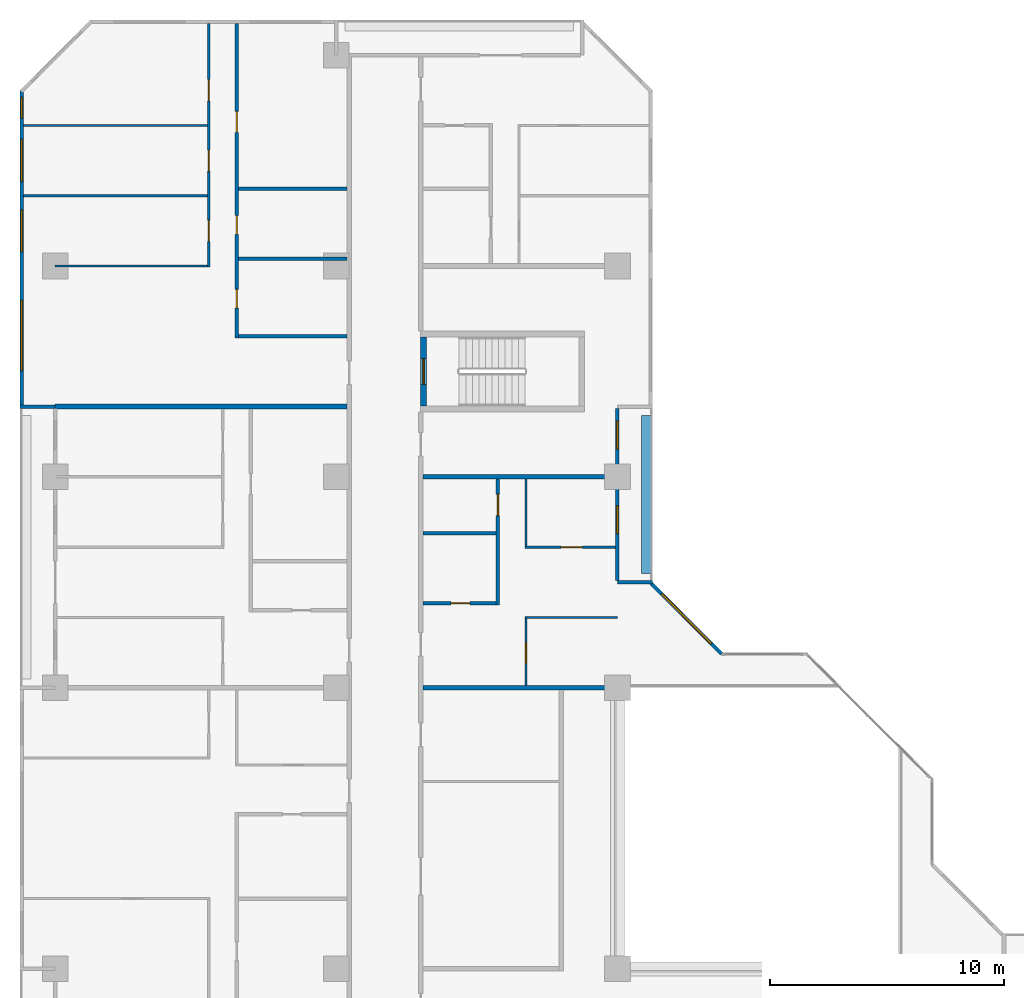
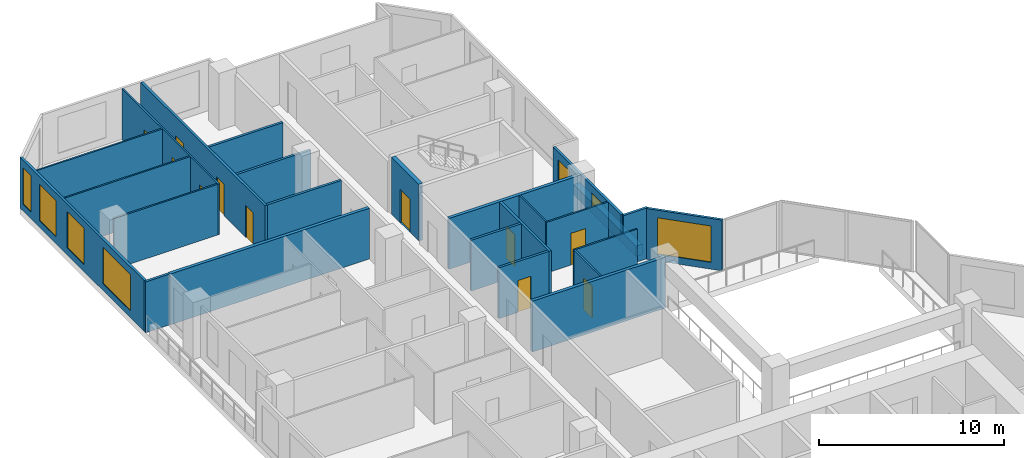
# One storey, part 10 of 16: 25 walls, 11 doors, 7 windows, 18 openings.
"""IFC4 building model written with IfcOpenShell, lengths in metres."""

from ifc_helpers import new_model, si_unit, direction, frame, frame_2d, origin, place, context, subcontext, project, spatial, rectangle, extrude, material, layer, layer_set, type_object, element, fill, save


model = new_model("IFC4")

# Units and contexts
model_context = context("Model", 3, precision=1e-05, world=origin(), true_north=direction((0.0, 1.0)))
body_context = subcontext(model_context, "Body", "Model", "MODEL_VIEW")
ifc_project = project(units=[si_unit("LENGTHUNIT", "METRE"), si_unit("AREAUNIT", "SQUARE_METRE"), si_unit("VOLUMEUNIT", "CUBIC_METRE"), si_unit("PLANEANGLEUNIT", "RADIAN"), si_unit("MASSUNIT", "GRAM", prefix="KILO")], contexts=[model_context])

# Site, building, storey
site_placement = place(None, origin())
site = spatial("IfcSite", under=ifc_project, at=site_placement, CompositionType="ELEMENT")
building_placement = place(site_placement, origin())
building = spatial("IfcBuilding", under=site, at=building_placement, Name="Chenar Terraces", CompositionType="ELEMENT")
storey_placement = place(building_placement, frame((0.0, 0.0, 75.14990234375)))
storey = spatial("IfcBuildingStorey", under=building, at=storey_placement, Name="L16", CompositionType="ELEMENT", Elevation=75.14990234375)

# Wall, opening, door
ifc_material_1 = material(Name="Concrete C70/85", Category="concrete")
ifc_layer_1 = layer(ifc_material_1, 0.25)
ifc_layer_set_1 = layer_set([ifc_layer_1], Name="Concrete C70/85")
wall_type_1 = type_object("IfcWallType", Name="Core wall 250 Concrete C70/85", PredefinedType="SHEAR", material=ifc_layer_set_1)
wall_1_placement = place(storey_placement, frame((15.72509765625, 48.02490234375, 0.0), z_axis=(0.0, 0.0, 1.0), x_axis=(0.0, 1.0, 0.0)))
wall_1 = element("IfcWall", 1, at=wall_1_placement, inside=storey, type_object=wall_type_1, Name="Core wall ST4_W L16", PredefinedType="SHEAR", context=body_context, shape_type="SweptSolid", body=[
    extrude(rectangle(XDim=2.9501953125, YDim=0.25, at=frame_2d((1.47509765625, 0.0))), origin(), (0.0, 0.0, 1.0), 3.75),
])
opening_1_placement = place(wall_1_placement, frame((0.925048828125, 0.0, 0.0)))
opening_1 = element("IfcOpeningElement", 2, at=opening_1_placement, cuts=wall_1, Name="Opening DL16-C9", PredefinedType="OPENING", context=body_context, shape_type="SweptSolid", body=[
    extrude(rectangle(XDim=1.10009765625, YDim=2.199951171875, at=frame_2d((0.550048828125, 1.10009765625))), frame((0.0, 0.135009765625, 0.0), z_axis=(0.0, -1.0, 0.0), x_axis=(1.0, 0.0, 0.0)), (0.0, 0.0, 1.0), 0.27001953125),
])
ifc_material_2 = material(Name="Steel-framed fire-resisting door leaf", Category="steel")
door_type_1 = type_object("IfcDoorType", Name="Stair fire door FD60 1100 x 2200", OperationType="SINGLE_SWING_LEFT", PredefinedType="DOOR", material=ifc_material_2)
door_1_placement = place(opening_1_placement, frame((1.10009765625, 0.0, 0.0), z_axis=(0.0, 0.0, 1.0), x_axis=(-1.0, 0.0, 0.0)))
door_1 = element("IfcDoor", 3, at=door_1_placement, inside=storey, type_object=door_type_1, Name="Stair door DL16-C9", OperationType="SINGLE_SWING_RIGHT", OverallHeight=2.199951171875, OverallWidth=1.10009765625, PredefinedType="DOOR", context=body_context, shape_type="SweptSolid", body=[
    extrude(rectangle(XDim=1.10009765625, YDim=2.199951171875, at=frame_2d((0.550048828125, 1.10009765625))), frame((0.0, 0.02490234375, 0.0), z_axis=(0.0, -1.0, 0.0), x_axis=(1.0, 0.0, 0.0)), (0.0, 0.0, 1.0), 0.050048828125),
])
fill(opening_1, door_1)

# Wall, openings, windows
ifc_material_3 = material(Name="Aluminium framed glazing", Category="aluminium")
ifc_layer_2 = layer(ifc_material_3, 0.14990234375)
ifc_layer_set_2 = layer_set([ifc_layer_2], Name="Aluminium framed glazing")
wall_type_2 = type_object("IfcWallType", Name="Glazed flush facade wall 150", PredefinedType="SOLIDWALL", material=ifc_layer_set_2)
wall_2_placement = place(storey_placement, frame((-1.425048828125, 61.5, 0.0), z_axis=(0.0, 0.0, 1.0), x_axis=(0.0, -1.0, 0.0)))
wall_2 = element("IfcWall", 4, at=wall_2_placement, inside=storey, type_object=wall_type_2, Name="Glazed flush facade wall", PredefinedType="SOLIDWALL", context=body_context, shape_type="SweptSolid", body=[
    extrude(rectangle(XDim=13.425048828125, YDim=0.14990234375, at=frame_2d((6.71240234375, 0.0))), origin(), (0.0, 0.0, 1.0), 3.35009765625),
])
opening_2_placement = place(wall_2_placement, frame((0.300048828125, 0.0, 0.449951171875)))
opening_2 = element("IfcOpeningElement", 5, at=opening_2_placement, cuts=wall_2, Name="Opening W90x240", PredefinedType="OPENING", context=body_context, shape_type="SweptSolid", body=[
    extrude(rectangle(XDim=0.89990234375, YDim=2.39990234375, at=frame_2d((0.449951171875, 1.199951171875))), frame((0.0, 0.0849609375, 0.0), z_axis=(0.0, -1.0, 0.0), x_axis=(1.0, 0.0, 0.0)), (0.0, 0.0, 1.0), 0.169921875),
])
opening_3_placement = place(wall_2_placement, frame((2.10009765625, 0.0, 0.449951171875)))
opening_3 = element("IfcOpeningElement", 6, at=opening_3_placement, cuts=wall_2, Name="Opening W180x240", PredefinedType="OPENING", context=body_context, shape_type="SweptSolid", body=[
    extrude(rectangle(XDim=1.800048828125, YDim=2.39990234375, at=frame_2d((0.89990234375, 1.199951171875))), frame((0.0, 0.0849609375, 0.0), z_axis=(0.0, -1.0, 0.0), x_axis=(1.0, 0.0, 0.0)), (0.0, 0.0, 1.0), 0.169921875),
])
opening_4_placement = place(wall_2_placement, frame((5.10009765625, 0.0, 0.449951171875)))
opening_4 = element("IfcOpeningElement", 7, at=opening_4_placement, cuts=wall_2, Name="Opening W180x240", PredefinedType="OPENING", context=body_context, shape_type="SweptSolid", body=[
    extrude(rectangle(XDim=1.800048828125, YDim=2.39990234375, at=frame_2d((0.89990234375, 1.199951171875))), frame((0.0, 0.0849609375, 0.0), z_axis=(0.0, -1.0, 0.0), x_axis=(1.0, 0.0, 0.0)), (0.0, 0.0, 1.0), 0.169921875),
])
opening_5_placement = place(wall_2_placement, frame((8.96240234375, 0.0, 0.449951171875)))
opening_5 = element("IfcOpeningElement", 8, at=opening_5_placement, cuts=wall_2, Name="Opening W300x240", PredefinedType="OPENING", context=body_context, shape_type="SweptSolid", body=[
    extrude(rectangle(XDim=3.0, YDim=2.39990234375, at=frame_2d((1.5, 1.199951171875))), frame((0.0, 0.0849609375, 0.0), z_axis=(0.0, -1.0, 0.0), x_axis=(1.0, 0.0, 0.0)), (0.0, 0.0, 1.0), 0.169921875),
])
ifc_material_4 = material(Name="Low emissivity double glazing, aluminium frame", Category="aluminium")
window_type_1 = type_object("IfcWindowType", Name="Fixed light 1800 x 2400", PartitioningType="SINGLE_PANEL", PredefinedType="WINDOW", material=ifc_material_4)
window_1_placement = place(opening_3_placement, origin())
window_1 = element("IfcWindow", 9, at=window_1_placement, inside=storey, type_object=window_type_1, Name="Window", OverallHeight=2.39990234375, OverallWidth=1.800048828125, PartitioningType="SINGLE_PANEL", PredefinedType="WINDOW", context=body_context, shape_type="SweptSolid", body=[
    extrude(rectangle(XDim=1.800048828125, YDim=2.39990234375, at=frame_2d((0.89990234375, 1.199951171875))), frame((0.0, 0.030029296875, 0.0), z_axis=(0.0, -1.0, 0.0), x_axis=(1.0, 0.0, 0.0)), (0.0, 0.0, 1.0), 0.06005859375),
])
fill(opening_3, window_1)
window_2_placement = place(opening_4_placement, origin())
window_2 = element("IfcWindow", 10, at=window_2_placement, inside=storey, type_object=window_type_1, Name="Window", OverallHeight=2.39990234375, OverallWidth=1.800048828125, PartitioningType="SINGLE_PANEL", PredefinedType="WINDOW", context=body_context, shape_type="SweptSolid", body=[
    extrude(rectangle(XDim=1.800048828125, YDim=2.39990234375, at=frame_2d((0.89990234375, 1.199951171875))), frame((0.0, 0.030029296875, 0.0), z_axis=(0.0, -1.0, 0.0), x_axis=(1.0, 0.0, 0.0)), (0.0, 0.0, 1.0), 0.06005859375),
])
fill(opening_4, window_2)
ifc_material_5 = material(Name="Low emissivity double glazing, aluminium frame", Category="aluminium")
window_type_2 = type_object("IfcWindowType", Name="Fixed light 3000 x 2400", PartitioningType="SINGLE_PANEL", PredefinedType="WINDOW", material=ifc_material_5)
window_3_placement = place(opening_5_placement, origin())
window_3 = element("IfcWindow", 11, at=window_3_placement, inside=storey, type_object=window_type_2, Name="Window", OverallHeight=2.39990234375, OverallWidth=3.0, PartitioningType="SINGLE_PANEL", PredefinedType="WINDOW", context=body_context, shape_type="SweptSolid", body=[
    extrude(rectangle(XDim=3.0, YDim=2.39990234375, at=frame_2d((1.5, 1.199951171875))), frame((0.0, 0.030029296875, 0.0), z_axis=(0.0, -1.0, 0.0), x_axis=(1.0, 0.0, 0.0)), (0.0, 0.0, 1.0), 0.06005859375),
])
fill(opening_5, window_3)
ifc_material_6 = material(Name="Low emissivity double glazing, aluminium frame", Category="aluminium")
window_type_3 = type_object("IfcWindowType", Name="Fixed light 900 x 2400", PartitioningType="SINGLE_PANEL", PredefinedType="WINDOW", material=ifc_material_6)
window_4_placement = place(opening_2_placement, origin())
window_4 = element("IfcWindow", 12, at=window_4_placement, inside=storey, type_object=window_type_3, Name="Window", OverallHeight=2.39990234375, OverallWidth=0.89990234375, PartitioningType="SINGLE_PANEL", PredefinedType="WINDOW", context=body_context, shape_type="SweptSolid", body=[
    extrude(rectangle(XDim=0.89990234375, YDim=2.39990234375, at=frame_2d((0.449951171875, 1.199951171875))), frame((0.0, 0.030029296875, 0.0), z_axis=(0.0, -1.0, 0.0), x_axis=(1.0, 0.0, 0.0)), (0.0, 0.0, 1.0), 0.06005859375),
])
fill(opening_2, window_4)

ifc_material_7 = material(Name="Aluminium framed glazing", Category="aluminium")
ifc_layer_3 = layer(ifc_material_7, 0.14990234375)
ifc_layer_set_3 = layer_set([ifc_layer_3], Name="Aluminium framed glazing")
wall_type_3 = type_object("IfcWallType", Name="Glazed loggia back wall 150", PredefinedType="SOLIDWALL", material=ifc_layer_set_3)
wall_3_placement = place(storey_placement, frame((24.0, 40.574951171875, 0.0), z_axis=(0.0, 0.0, 1.0), x_axis=(0.0, 1.0, 0.0)))
wall_3 = element("IfcWall", 13, at=wall_3_placement, inside=storey, type_object=wall_type_3, Name="Glazed loggia back wall", PredefinedType="SOLIDWALL", context=body_context, shape_type="SweptSolid", body=[
    extrude(rectangle(XDim=7.35009765625, YDim=0.14990234375, at=frame_2d((3.675048828125, 0.0))), origin(), (0.0, 0.0, 1.0), 3.35009765625),
])
opening_6_placement = place(wall_3_placement, frame((2.0, 0.0, 0.449951171875)))
opening_6 = element("IfcOpeningElement", 14, at=opening_6_placement, cuts=wall_3, Name="Opening W120x240", PredefinedType="OPENING", context=body_context, shape_type="SweptSolid", body=[
    extrude(rectangle(XDim=1.199951171875, YDim=2.39990234375, at=frame_2d((0.60009765625, 1.199951171875))), frame((0.0, 0.0849609375, 0.0), z_axis=(0.0, -1.0, 0.0), x_axis=(1.0, 0.0, 0.0)), (0.0, 0.0, 1.0), 0.169921875),
])
opening_7_placement = place(wall_3_placement, frame((5.612548828125, 0.0, 0.449951171875)))
opening_7 = element("IfcOpeningElement", 15, at=opening_7_placement, cuts=wall_3, Name="Opening W120x240", PredefinedType="OPENING", context=body_context, shape_type="SweptSolid", body=[
    extrude(rectangle(XDim=1.199951171875, YDim=2.39990234375, at=frame_2d((0.60009765625, 1.199951171875))), frame((0.0, 0.0849609375, 0.0), z_axis=(0.0, -1.0, 0.0), x_axis=(1.0, 0.0, 0.0)), (0.0, 0.0, 1.0), 0.169921875),
])
ifc_material_8 = material(Name="Low emissivity double glazing, aluminium frame", Category="aluminium")
window_type_4 = type_object("IfcWindowType", Name="Fixed light 1200 x 2400", PartitioningType="SINGLE_PANEL", PredefinedType="WINDOW", material=ifc_material_8)
window_5_placement = place(opening_6_placement, origin())
window_5 = element("IfcWindow", 16, at=window_5_placement, inside=storey, type_object=window_type_4, Name="Window", OverallHeight=2.39990234375, OverallWidth=1.199951171875, PartitioningType="SINGLE_PANEL", PredefinedType="WINDOW", context=body_context, shape_type="SweptSolid", body=[
    extrude(rectangle(XDim=1.199951171875, YDim=2.39990234375, at=frame_2d((0.60009765625, 1.199951171875))), frame((0.0, 0.030029296875, 0.0), z_axis=(0.0, -1.0, 0.0), x_axis=(1.0, 0.0, 0.0)), (0.0, 0.0, 1.0), 0.06005859375),
])
fill(opening_6, window_5)
window_6_placement = place(opening_7_placement, origin())
window_6 = element("IfcWindow", 17, at=window_6_placement, inside=storey, type_object=window_type_4, Name="Window", OverallHeight=2.39990234375, OverallWidth=1.199951171875, PartitioningType="SINGLE_PANEL", PredefinedType="WINDOW", context=body_context, shape_type="SweptSolid", body=[
    extrude(rectangle(XDim=1.199951171875, YDim=2.39990234375, at=frame_2d((0.60009765625, 1.199951171875))), frame((0.0, 0.030029296875, 0.0), z_axis=(0.0, -1.0, 0.0), x_axis=(1.0, 0.0, 0.0)), (0.0, 0.0, 1.0), 0.06005859375),
])
fill(opening_7, window_6)

# Walls
ifc_material_9 = material(Name="Gypsum board on steel studs", Category="steel")
ifc_layer_4 = layer(ifc_material_9, 0.10009765625)
ifc_layer_set_4 = layer_set([ifc_layer_4], Name="Gypsum board on steel studs")
wall_type_4 = type_object("IfcWallType", Name="Gypsum partition 100", PredefinedType="PARTITIONING", material=ifc_layer_set_4)
for number, where, z_axis, x_axis, name in (
    (18, (-1.35107421875, 57.0, 0.0), (0.0, 0.0, 1.0), (1.0, 0.0, 0.0), "Partition L16-001"),
    (19, (-1.35107421875, 60.0, 0.0), (0.0, 0.0, 1.0), (1.0, 0.0, 0.0), "Partition L16-002"),
):
    element("IfcWall", number, at=place(storey_placement, frame(where, z_axis=z_axis, x_axis=x_axis)), inside=storey, type_object=wall_type_4, Name=name, PredefinedType="PARTITIONING", context=body_context, shape_type="SweptSolid", body=[
        extrude(rectangle(XDim=7.85107421875, YDim=0.10009765625, at=frame_2d((3.925537109375, 0.0))), origin(), (0.0, 0.0, 1.0), 3.35009765625),
    ])
wall_4_placement = place(storey_placement, frame((0.0, 54.0, 0.0), z_axis=(0.0, 0.0, 1.0), x_axis=(1.0, 0.0, 0.0)))
element("IfcWall", 20, at=wall_4_placement, inside=storey, type_object=wall_type_4, Name="Partition L16-007", PredefinedType="PARTITIONING", context=body_context, shape_type="SweptSolid", body=[
    extrude(rectangle(XDim=6.5, YDim=0.10009765625, at=frame_2d((3.25, 0.0))), origin(), (0.0, 0.0, 1.0), 3.35009765625),
])

# Wall, openings, doors
wall_5_placement = place(storey_placement, frame((6.550048828125, 53.949951171875, 0.0), z_axis=(0.0, 0.0, 1.0), x_axis=(0.0, 1.0, 0.0)))
wall_5 = element("IfcWall", 21, at=wall_5_placement, inside=storey, type_object=wall_type_4, Name="Partition L16-016", PredefinedType="PARTITIONING", context=body_context, shape_type="SweptSolid", body=[
    extrude(rectangle(XDim=10.400146484375, YDim=0.10009765625, at=frame_2d((5.2001953125, 0.0))), origin(), (0.0, 0.0, 1.0), 3.35009765625),
])
opening_8_placement = place(wall_5_placement, frame((1.10009765625, 0.0, 0.0)))
opening_8 = element("IfcOpeningElement", 22, at=opening_8_placement, cuts=wall_5, Name="Opening DL16-46", PredefinedType="OPENING", context=body_context, shape_type="SweptSolid", body=[
    extrude(rectangle(XDim=0.89990234375, YDim=2.10009765625, at=frame_2d((0.449951171875, 1.050048828125))), frame((0.0, 0.06005859375, 0.0), z_axis=(0.0, -1.0, 0.0), x_axis=(1.0, 0.0, 0.0)), (0.0, 0.0, 1.0), 0.1201171875),
])
opening_9_placement = place(wall_5_placement, frame((4.10009765625, 0.0, 0.0)))
opening_9 = element("IfcOpeningElement", 23, at=opening_9_placement, cuts=wall_5, Name="Opening DL16-47", PredefinedType="OPENING", context=body_context, shape_type="SweptSolid", body=[
    extrude(rectangle(XDim=0.89990234375, YDim=2.10009765625, at=frame_2d((0.449951171875, 1.050048828125))), frame((0.0, 0.06005859375, 0.0), z_axis=(0.0, -1.0, 0.0), x_axis=(1.0, 0.0, 0.0)), (0.0, 0.0, 1.0), 0.1201171875),
])
opening_10_placement = place(wall_5_placement, frame((7.10009765625, 0.0, 0.0)))
opening_10 = element("IfcOpeningElement", 24, at=opening_10_placement, cuts=wall_5, Name="Opening DL16-48", PredefinedType="OPENING", context=body_context, shape_type="SweptSolid", body=[
    extrude(rectangle(XDim=0.89990234375, YDim=2.10009765625, at=frame_2d((0.449951171875, 1.050048828125))), frame((0.0, 0.06005859375, 0.0), z_axis=(0.0, -1.0, 0.0), x_axis=(1.0, 0.0, 0.0)), (0.0, 0.0, 1.0), 0.1201171875),
])
ifc_material_10 = material(Name="Veneered timber door leaf", Category="wood")
door_type_2 = type_object("IfcDoorType", Name="Door 900 x 2100", OperationType="SINGLE_SWING_LEFT", PredefinedType="DOOR", material=ifc_material_10)
door_2_placement = place(opening_8_placement, origin())
door_2 = element("IfcDoor", 25, at=door_2_placement, inside=storey, type_object=door_type_2, Name="Door DL16-46", OperationType="SINGLE_SWING_LEFT", OverallHeight=2.10009765625, OverallWidth=0.89990234375, PredefinedType="DOOR", context=body_context, shape_type="SweptSolid", body=[
    extrude(rectangle(XDim=0.89990234375, YDim=2.10009765625, at=frame_2d((0.449951171875, 1.050048828125))), frame((0.0, 0.02490234375, 0.0), z_axis=(0.0, -1.0, 0.0), x_axis=(1.0, 0.0, 0.0)), (0.0, 0.0, 1.0), 0.050048828125),
])
fill(opening_8, door_2)
door_3_placement = place(opening_9_placement, origin())
door_3 = element("IfcDoor", 26, at=door_3_placement, inside=storey, type_object=door_type_2, Name="Door DL16-47", OperationType="SINGLE_SWING_LEFT", OverallHeight=2.10009765625, OverallWidth=0.89990234375, PredefinedType="DOOR", context=body_context, shape_type="SweptSolid", body=[
    extrude(rectangle(XDim=0.89990234375, YDim=2.10009765625, at=frame_2d((0.449951171875, 1.050048828125))), frame((0.0, 0.02490234375, 0.0), z_axis=(0.0, -1.0, 0.0), x_axis=(1.0, 0.0, 0.0)), (0.0, 0.0, 1.0), 0.050048828125),
])
fill(opening_9, door_3)
door_4_placement = place(opening_10_placement, origin())
door_4 = element("IfcDoor", 27, at=door_4_placement, inside=storey, type_object=door_type_2, Name="Door DL16-48", OperationType="SINGLE_SWING_LEFT", OverallHeight=2.10009765625, OverallWidth=0.89990234375, PredefinedType="DOOR", context=body_context, shape_type="SweptSolid", body=[
    extrude(rectangle(XDim=0.89990234375, YDim=2.10009765625, at=frame_2d((0.449951171875, 1.050048828125))), frame((0.0, 0.02490234375, 0.0), z_axis=(0.0, -1.0, 0.0), x_axis=(1.0, 0.0, 0.0)), (0.0, 0.0, 1.0), 0.050048828125),
])
fill(opening_10, door_4)

# Wall
wall_6_placement = place(storey_placement, frame((20.050048828125, 39.0, 0.0), z_axis=(0.0, 0.0, 1.0), x_axis=(1.0, 0.0, 0.0)))
element("IfcWall", 28, at=wall_6_placement, inside=storey, type_object=wall_type_4, Name="Partition L16-052", PredefinedType="PARTITIONING", context=body_context, shape_type="SweptSolid", body=[
    extrude(rectangle(XDim=3.949951171875, YDim=0.10009765625, at=frame_2d((1.97509765625, 0.0))), origin(), (0.0, 0.0, 1.0), 3.35009765625),
])

# Wall, opening, door
wall_7_placement = place(storey_placement, frame((20.050048828125, 42.0, 0.0), z_axis=(0.0, 0.0, 1.0), x_axis=(1.0, 0.0, 0.0)))
wall_7 = element("IfcWall", 29, at=wall_7_placement, inside=storey, type_object=wall_type_4, Name="Partition L16-053", PredefinedType="PARTITIONING", context=body_context, shape_type="SweptSolid", body=[
    extrude(rectangle(XDim=3.8759765625, YDim=0.10009765625, at=frame_2d((1.93798828125, 0.0))), origin(), (0.0, 0.0, 1.0), 3.35009765625),
])
opening_11_placement = place(wall_7_placement, frame((1.550048828125, 0.0, 0.0)))
opening_11 = element("IfcOpeningElement", 30, at=opening_11_placement, cuts=wall_7, Name="Opening DL16-31", PredefinedType="OPENING", context=body_context, shape_type="SweptSolid", body=[
    extrude(rectangle(XDim=0.89990234375, YDim=2.10009765625, at=frame_2d((0.449951171875, 1.050048828125))), frame((0.0, 0.06005859375, 0.0), z_axis=(0.0, -1.0, 0.0), x_axis=(1.0, 0.0, 0.0)), (0.0, 0.0, 1.0), 0.1201171875),
])
door_5_placement = place(opening_11_placement, origin())
door_5 = element("IfcDoor", 31, at=door_5_placement, inside=storey, type_object=door_type_2, Name="Door DL16-31", OperationType="SINGLE_SWING_RIGHT", OverallHeight=2.10009765625, OverallWidth=0.89990234375, PredefinedType="DOOR", context=body_context, shape_type="SweptSolid", body=[
    extrude(rectangle(XDim=0.89990234375, YDim=2.10009765625, at=frame_2d((0.449951171875, 1.050048828125))), frame((0.0, 0.02490234375, 0.0), z_axis=(0.0, -1.0, 0.0), x_axis=(1.0, 0.0, 0.0)), (0.0, 0.0, 1.0), 0.050048828125),
])
fill(opening_11, door_5)

wall_8_placement = place(storey_placement, frame((20.10009765625, 36.10009765625, 0.0), z_axis=(0.0, 0.0, 1.0), x_axis=(0.0, 1.0, 0.0)))
wall_8 = element("IfcWall", 32, at=wall_8_placement, inside=storey, type_object=wall_type_4, Name="Partition L16-054", PredefinedType="PARTITIONING", context=body_context, shape_type="SweptSolid", body=[
    extrude(rectangle(XDim=2.849853515625, YDim=0.10009765625, at=frame_2d((1.4248046875, 0.0))), origin(), (0.0, 0.0, 1.0), 3.35009765625),
])
opening_12_placement = place(wall_8_placement, frame((0.949951171875, 0.0, 0.0)))
opening_12 = element("IfcOpeningElement", 33, at=opening_12_placement, cuts=wall_8, Name="Opening DL16-30", PredefinedType="OPENING", context=body_context, shape_type="SweptSolid", body=[
    extrude(rectangle(XDim=0.89990234375, YDim=2.10009765625, at=frame_2d((0.449951171875, 1.050048828125))), frame((0.0, 0.06005859375, 0.0), z_axis=(0.0, -1.0, 0.0), x_axis=(1.0, 0.0, 0.0)), (0.0, 0.0, 1.0), 0.1201171875),
])
door_6_placement = place(opening_12_placement, frame((0.89990234375, 0.0, 0.0), z_axis=(0.0, 0.0, 1.0), x_axis=(-1.0, 0.0, 0.0)))
door_6 = element("IfcDoor", 34, at=door_6_placement, inside=storey, type_object=door_type_2, Name="Door DL16-30", OperationType="SINGLE_SWING_LEFT", OverallHeight=2.10009765625, OverallWidth=0.89990234375, PredefinedType="DOOR", context=body_context, shape_type="SweptSolid", body=[
    extrude(rectangle(XDim=0.89990234375, YDim=2.10009765625, at=frame_2d((0.449951171875, 1.050048828125))), frame((0.0, 0.02490234375, 0.0), z_axis=(0.0, -1.0, 0.0), x_axis=(1.0, 0.0, 0.0)), (0.0, 0.0, 1.0), 0.050048828125),
])
fill(opening_12, door_6)

# Walls
wall_9_placement = place(storey_placement, frame((20.10009765625, 42.050048828125, 0.0), z_axis=(0.0, 0.0, 1.0), x_axis=(0.0, 1.0, 0.0)))
element("IfcWall", 35, at=wall_9_placement, inside=storey, type_object=wall_type_4, Name="Partition L16-055", PredefinedType="PARTITIONING", context=body_context, shape_type="SweptSolid", body=[
    extrude(rectangle(XDim=2.849853515625, YDim=0.10009765625, at=frame_2d((1.4248046875, 0.0))), origin(), (0.0, 0.0, 1.0), 3.35009765625),
])
ifc_material_11 = material(Name="Terracotta cladding on insulated backing", Category="masonry")
ifc_layer_5 = layer(ifc_material_11, 0.14990234375)
ifc_layer_set_5 = layer_set([ifc_layer_5], Name="Terracotta cladding on insulated backing")
wall_type_5 = type_object("IfcWallType", Name="Loggia return wall 150", PredefinedType="SOLIDWALL", material=ifc_layer_set_5)
for number, where, z_axis, x_axis, name in (
    (36, (25.5, 40.5, 0.0), (0.0, 0.0, 1.0), (-1.0, 0.0, 0.0), "Loggia return wall"),
    (37, (-1.5, 48.0, 0.0), (0.0, 0.0, 1.0), (1.0, 0.0, 0.0), "Loggia return wall"),
):
    element("IfcWall", number, at=place(storey_placement, frame(where, z_axis=z_axis, x_axis=x_axis)), inside=storey, type_object=wall_type_5, Name=name, PredefinedType="SOLIDWALL", context=body_context, shape_type="SweptSolid", body=[
        extrude(rectangle(XDim=1.5, YDim=0.14990234375, at=frame_2d((0.75, 0.0))), origin(), (0.0, 0.0, 1.0), 3.35009765625),
    ])

# Wall, opening, window
ifc_material_12 = material(Name="Terracotta cladding on insulated backing", Category="masonry")
ifc_layer_6 = layer(ifc_material_12, 0.14990234375)
ifc_layer_set_6 = layer_set([ifc_layer_6], Name="Terracotta cladding on insulated backing")
wall_type_6 = type_object("IfcWallType", Name="Terracotta rainscreen wall 150", PredefinedType="SOLIDWALL", material=ifc_layer_set_6)
wall_10_placement = place(storey_placement, frame((28.447021484375, 37.447021484375, 0.0), z_axis=(0.0, 0.0, 1.0), x_axis=(-0.707106781187, 0.707106781187, 0.0)))
wall_10 = element("IfcWall", 38, at=wall_10_placement, inside=storey, type_object=wall_type_6, Name="Terracotta rainscreen wall", PredefinedType="SOLIDWALL", context=body_context, shape_type="SweptSolid", body=[
    extrude(rectangle(XDim=4.24267578125, YDim=0.14990234375, at=frame_2d((2.121337890625, 0.0))), origin(), (0.0, 0.0, 1.0), 3.35009765625),
])
opening_13_placement = place(wall_10_placement, frame((0.621337890625, 0.0, 0.449951171875)))
opening_13 = element("IfcOpeningElement", 39, at=opening_13_placement, cuts=wall_10, Name="Opening W300x240", PredefinedType="OPENING", context=body_context, shape_type="SweptSolid", body=[
    extrude(rectangle(XDim=3.0, YDim=2.39990234375, at=frame_2d((1.5, 1.199951171875))), frame((0.0, 0.0849609375, 0.0), z_axis=(0.0, -1.0, 0.0), x_axis=(1.0, 0.0, 0.0)), (0.0, 0.0, 1.0), 0.169921875),
])
window_7_placement = place(opening_13_placement, origin())
window_7 = element("IfcWindow", 40, at=window_7_placement, inside=storey, type_object=window_type_2, Name="Window", OverallHeight=2.39990234375, OverallWidth=3.0, PartitioningType="SINGLE_PANEL", PredefinedType="WINDOW", context=body_context, shape_type="SweptSolid", body=[
    extrude(rectangle(XDim=3.0, YDim=2.39990234375, at=frame_2d((1.5, 1.199951171875))), frame((0.0, 0.030029296875, 0.0), z_axis=(0.0, -1.0, 0.0), x_axis=(1.0, 0.0, 0.0)), (0.0, 0.0, 1.0), 0.06005859375),
])
fill(opening_13, window_7)

# Walls
ifc_material_13 = material(Name="Twin gypsum board on steel studs with mineral wool", Category="steel")
ifc_layer_7 = layer(ifc_material_13, 0.199951171875)
ifc_layer_set_7 = layer_set([ifc_layer_7], Name="Twin gypsum board on steel studs with mineral wool")
wall_type_7 = type_object("IfcWallType", Name="Unit demising wall 200", PredefinedType="PARTITIONING", material=ifc_layer_set_7)
wall_11_placement = place(storey_placement, frame((0.0, 48.0, 0.0), z_axis=(0.0, 0.0, 1.0), x_axis=(1.0, 0.0, 0.0)))
element("IfcWall", 41, at=wall_11_placement, inside=storey, type_object=wall_type_7, Name="Partition L16-006", PredefinedType="PARTITIONING", context=body_context, shape_type="SweptSolid", body=[
    extrude(rectangle(XDim=12.449951171875, YDim=0.199951171875, at=frame_2d((6.22509765625, 0.0))), origin(), (0.0, 0.0, 1.0), 3.35009765625),
])
wall_12_placement = place(storey_placement, frame((15.699951171875, 36.0, 0.0), z_axis=(0.0, 0.0, 1.0), x_axis=(1.0, 0.0, 0.0)))
element("IfcWall", 42, at=wall_12_placement, inside=storey, type_object=wall_type_7, Name="Partition L16-040", PredefinedType="PARTITIONING", context=body_context, shape_type="SweptSolid", body=[
    extrude(rectangle(XDim=8.300048828125, YDim=0.199951171875, at=frame_2d((4.14990234375, 0.0))), origin(), (0.0, 0.0, 1.0), 3.35009765625),
])
wall_13_placement = place(storey_placement, frame((15.699951171875, 45.0, 0.0), z_axis=(0.0, 0.0, 1.0), x_axis=(1.0, 0.0, 0.0)))
element("IfcWall", 43, at=wall_13_placement, inside=storey, type_object=wall_type_7, Name="Partition L16-043", PredefinedType="PARTITIONING", context=body_context, shape_type="SweptSolid", body=[
    extrude(rectangle(XDim=8.22607421875, YDim=0.199951171875, at=frame_2d((4.113037109375, 0.0))), origin(), (0.0, 0.0, 1.0), 3.35009765625),
])
ifc_material_14 = material(Name="GRP planter trough")
ifc_layer_8 = layer(ifc_material_14, 0.39990234375)
ifc_layer_set_8 = layer_set([ifc_layer_8], Name="GRP planter trough")
wall_type_8 = type_object("IfcWallType", Name="Vertical greenery planter 400", PredefinedType="SOLIDWALL", material=ifc_layer_set_8)
wall_14_placement = place(storey_placement, frame((25.22900390625, 40.875, 0.0), z_axis=(0.0, 0.0, 1.0), x_axis=(0.0, 1.0, 0.0)))
element("IfcWall", 44, at=wall_14_placement, inside=storey, type_object=wall_type_8, Name="Vertical greenery planter", PredefinedType="SOLIDWALL", context=body_context, shape_type="SweptSolid", body=[
    extrude(rectangle(XDim=6.75, YDim=0.39990234375, at=frame_2d((3.375, 0.0))), origin(), (0.0, 0.0, 1.0), 0.7001953125),
])

# Wall, openings, doors
ifc_material_15 = material(Name="Moisture-resistant gypsum board on steel studs", Category="steel")
ifc_layer_9 = layer(ifc_material_15, 0.14990234375)
ifc_layer_set_9 = layer_set([ifc_layer_9], Name="Moisture-resistant gypsum board on steel studs")
wall_type_9 = type_object("IfcWallType", Name="Wet-room partition 150", PredefinedType="PARTITIONING", material=ifc_layer_set_9)
wall_15_placement = place(storey_placement, frame((7.75, 50.925048828125, 0.0), z_axis=(0.0, 0.0, 1.0), x_axis=(0.0, 1.0, 0.0)))
wall_15 = element("IfcWall", 45, at=wall_15_placement, inside=storey, type_object=wall_type_9, Name="Partition L16-022", PredefinedType="PARTITIONING", context=body_context, shape_type="SweptSolid", body=[
    extrude(rectangle(XDim=13.425048828125, YDim=0.14990234375, at=frame_2d((6.71240234375, 0.0))), origin(), (0.0, 0.0, 1.0), 3.35009765625),
])
opening_14_placement = place(wall_15_placement, frame((1.27490234375, 0.0, 0.0)))
opening_14 = element("IfcOpeningElement", 46, at=opening_14_placement, cuts=wall_15, Name="Opening DL16-45", PredefinedType="OPENING", context=body_context, shape_type="SweptSolid", body=[
    extrude(rectangle(XDim=0.800048828125, YDim=2.10009765625, at=frame_2d((0.39990234375, 1.050048828125))), frame((0.0, 0.0849609375, 0.0), z_axis=(0.0, -1.0, 0.0), x_axis=(1.0, 0.0, 0.0)), (0.0, 0.0, 1.0), 0.169921875),
])
opening_15_placement = place(wall_15_placement, frame((8.77490234375, 0.0, 0.0)))
opening_15 = element("IfcOpeningElement", 47, at=opening_15_placement, cuts=wall_15, Name="Opening DL16-49", PredefinedType="OPENING", context=body_context, shape_type="SweptSolid", body=[
    extrude(rectangle(XDim=0.89990234375, YDim=2.10009765625, at=frame_2d((0.449951171875, 1.050048828125))), frame((0.0, 0.0849609375, 0.0), z_axis=(0.0, -1.0, 0.0), x_axis=(1.0, 0.0, 0.0)), (0.0, 0.0, 1.0), 0.169921875),
])
opening_16_placement = place(wall_15_placement, frame((4.425048828125, 0.0, 0.0)))
opening_16 = element("IfcOpeningElement", 48, at=opening_16_placement, cuts=wall_15, Name="Opening DL16-51", PredefinedType="OPENING", context=body_context, shape_type="SweptSolid", body=[
    extrude(rectangle(XDim=0.800048828125, YDim=2.10009765625, at=frame_2d((0.39990234375, 1.050048828125))), frame((0.0, 0.0849609375, 0.0), z_axis=(0.0, -1.0, 0.0), x_axis=(1.0, 0.0, 0.0)), (0.0, 0.0, 1.0), 0.169921875),
])
ifc_material_16 = material(Name="Veneered timber door leaf", Category="wood")
door_type_3 = type_object("IfcDoorType", Name="Door 800 x 2100", OperationType="SINGLE_SWING_LEFT", PredefinedType="DOOR", material=ifc_material_16)
door_7_placement = place(opening_14_placement, frame((0.800048828125, 0.0, 0.0), z_axis=(0.0, 0.0, 1.0), x_axis=(-1.0, 0.0, 0.0)))
door_7 = element("IfcDoor", 49, at=door_7_placement, inside=storey, type_object=door_type_3, Name="Door DL16-45", OperationType="SINGLE_SWING_RIGHT", OverallHeight=2.10009765625, OverallWidth=0.800048828125, PredefinedType="DOOR", context=body_context, shape_type="SweptSolid", body=[
    extrude(rectangle(XDim=0.800048828125, YDim=2.10009765625, at=frame_2d((0.39990234375, 1.050048828125))), frame((0.0, 0.02490234375, 0.0), z_axis=(0.0, -1.0, 0.0), x_axis=(1.0, 0.0, 0.0)), (0.0, 0.0, 1.0), 0.050048828125),
])
fill(opening_14, door_7)
door_8_placement = place(opening_16_placement, frame((0.800048828125, 0.0, 0.0), z_axis=(0.0, 0.0, 1.0), x_axis=(-1.0, 0.0, 0.0)))
door_8 = element("IfcDoor", 50, at=door_8_placement, inside=storey, type_object=door_type_3, Name="Door DL16-51", OperationType="SINGLE_SWING_RIGHT", OverallHeight=2.10009765625, OverallWidth=0.800048828125, PredefinedType="DOOR", context=body_context, shape_type="SweptSolid", body=[
    extrude(rectangle(XDim=0.800048828125, YDim=2.10009765625, at=frame_2d((0.39990234375, 1.050048828125))), frame((0.0, 0.02490234375, 0.0), z_axis=(0.0, -1.0, 0.0), x_axis=(1.0, 0.0, 0.0)), (0.0, 0.0, 1.0), 0.050048828125),
])
fill(opening_16, door_8)
door_9_placement = place(opening_15_placement, frame((0.89990234375, 0.0, 0.0), z_axis=(0.0, 0.0, 1.0), x_axis=(-1.0, 0.0, 0.0)))
door_9 = element("IfcDoor", 51, at=door_9_placement, inside=storey, type_object=door_type_2, Name="Door DL16-49", OperationType="SINGLE_SWING_LEFT", OverallHeight=2.10009765625, OverallWidth=0.89990234375, PredefinedType="DOOR", context=body_context, shape_type="SweptSolid", body=[
    extrude(rectangle(XDim=0.89990234375, YDim=2.10009765625, at=frame_2d((0.449951171875, 1.050048828125))), frame((0.0, 0.02490234375, 0.0), z_axis=(0.0, -1.0, 0.0), x_axis=(1.0, 0.0, 0.0)), (0.0, 0.0, 1.0), 0.050048828125),
])
fill(opening_15, door_9)

# Walls
for number, where, z_axis, x_axis, name in (
    (52, (7.824951171875, 51.0, 0.0), (0.0, 0.0, 1.0), (1.0, 0.0, 0.0), "Partition L16-025"),
    (53, (7.824951171875, 54.300048828125, 0.0), (0.0, 0.0, 1.0), (1.0, 0.0, 0.0), "Partition L16-026"),
    (54, (7.824951171875, 57.300048828125, 0.0), (0.0, 0.0, 1.0), (1.0, 0.0, 0.0), "Partition L16-027"),
):
    element("IfcWall", number, at=place(storey_placement, frame(where, z_axis=z_axis, x_axis=x_axis)), inside=storey, type_object=wall_type_9, Name=name, PredefinedType="PARTITIONING", context=body_context, shape_type="SweptSolid", body=[
        extrude(rectangle(XDim=4.625, YDim=0.14990234375, at=frame_2d((2.3125, 0.0))), origin(), (0.0, 0.0, 1.0), 3.35009765625),
    ])

# Wall, opening, door
wall_16_placement = place(storey_placement, frame((15.699951171875, 39.60009765625, 0.0), z_axis=(0.0, 0.0, 1.0), x_axis=(1.0, 0.0, 0.0)))
wall_16 = element("IfcWall", 55, at=wall_16_placement, inside=storey, type_object=wall_type_9, Name="Partition L16-041", PredefinedType="PARTITIONING", context=body_context, shape_type="SweptSolid", body=[
    extrude(rectangle(XDim=3.125, YDim=0.14990234375, at=frame_2d((1.5625, 0.0))), origin(), (0.0, 0.0, 1.0), 3.35009765625),
])
opening_17_placement = place(wall_16_placement, frame((1.199951171875, 0.0, 0.0)))
opening_17 = element("IfcOpeningElement", 56, at=opening_17_placement, cuts=wall_16, Name="Opening DL16-29", PredefinedType="OPENING", context=body_context, shape_type="SweptSolid", body=[
    extrude(rectangle(XDim=0.800048828125, YDim=2.10009765625, at=frame_2d((0.39990234375, 1.050048828125))), frame((0.0, 0.0849609375, 0.0), z_axis=(0.0, -1.0, 0.0), x_axis=(1.0, 0.0, 0.0)), (0.0, 0.0, 1.0), 0.169921875),
])
door_10_placement = place(opening_17_placement, origin())
door_10 = element("IfcDoor", 57, at=door_10_placement, inside=storey, type_object=door_type_3, Name="Door DL16-29", OperationType="SINGLE_SWING_RIGHT", OverallHeight=2.10009765625, OverallWidth=0.800048828125, PredefinedType="DOOR", context=body_context, shape_type="SweptSolid", body=[
    extrude(rectangle(XDim=0.800048828125, YDim=2.10009765625, at=frame_2d((0.39990234375, 1.050048828125))), frame((0.0, 0.02490234375, 0.0), z_axis=(0.0, -1.0, 0.0), x_axis=(1.0, 0.0, 0.0)), (0.0, 0.0, 1.0), 0.050048828125),
])
fill(opening_17, door_10)

# Wall
wall_17_placement = place(storey_placement, frame((15.699951171875, 42.60009765625, 0.0), z_axis=(0.0, 0.0, 1.0), x_axis=(1.0, 0.0, 0.0)))
element("IfcWall", 58, at=wall_17_placement, inside=storey, type_object=wall_type_9, Name="Partition L16-042", PredefinedType="PARTITIONING", context=body_context, shape_type="SweptSolid", body=[
    extrude(rectangle(XDim=3.125, YDim=0.14990234375, at=frame_2d((1.5625, 0.0))), origin(), (0.0, 0.0, 1.0), 3.35009765625),
])

# Wall, opening, door
wall_18_placement = place(storey_placement, frame((18.89990234375, 39.52490234375, 0.0), z_axis=(0.0, 0.0, 1.0), x_axis=(0.0, 1.0, 0.0)))
wall_18 = element("IfcWall", 59, at=wall_18_placement, inside=storey, type_object=wall_type_9, Name="Partition L16-048", PredefinedType="PARTITIONING", context=body_context, shape_type="SweptSolid", body=[
    extrude(rectangle(XDim=5.375, YDim=0.14990234375, at=frame_2d((2.6875, 0.0))), origin(), (0.0, 0.0, 1.0), 3.35009765625),
])
opening_18_placement = place(wall_18_placement, frame((3.824951171875, 0.0, 0.0)))
opening_18 = element("IfcOpeningElement", 60, at=opening_18_placement, cuts=wall_18, Name="Opening DL16-32", PredefinedType="OPENING", context=body_context, shape_type="SweptSolid", body=[
    extrude(rectangle(XDim=0.89990234375, YDim=2.10009765625, at=frame_2d((0.449951171875, 1.050048828125))), frame((0.0, 0.0849609375, 0.0), z_axis=(0.0, -1.0, 0.0), x_axis=(1.0, 0.0, 0.0)), (0.0, 0.0, 1.0), 0.169921875),
])
door_11_placement = place(opening_18_placement, origin())
door_11 = element("IfcDoor", 61, at=door_11_placement, inside=storey, type_object=door_type_2, Name="Door DL16-32", OperationType="SINGLE_SWING_RIGHT", OverallHeight=2.10009765625, OverallWidth=0.89990234375, PredefinedType="DOOR", context=body_context, shape_type="SweptSolid", body=[
    extrude(rectangle(XDim=0.89990234375, YDim=2.10009765625, at=frame_2d((0.449951171875, 1.050048828125))), frame((0.0, 0.02490234375, 0.0), z_axis=(0.0, -1.0, 0.0), x_axis=(1.0, 0.0, 0.0)), (0.0, 0.0, 1.0), 0.050048828125),
])
fill(opening_18, door_11)

save(model, "model.ifc")
